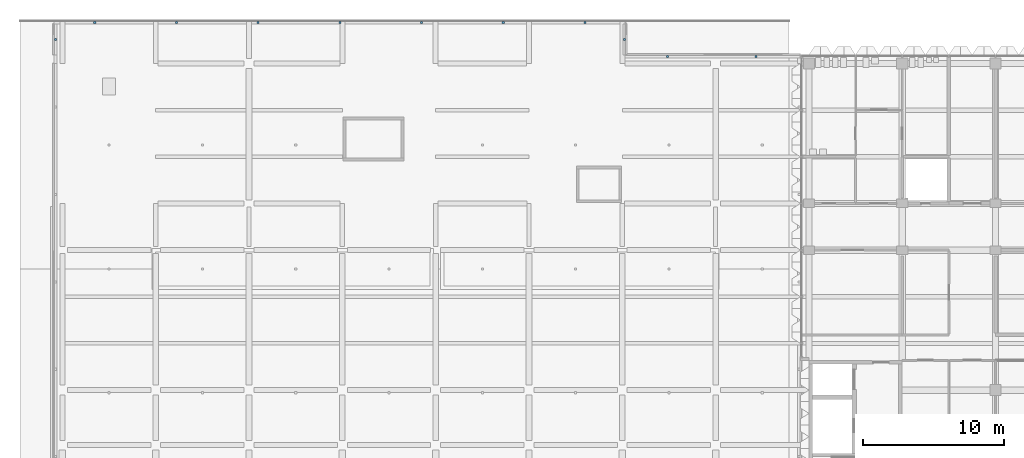
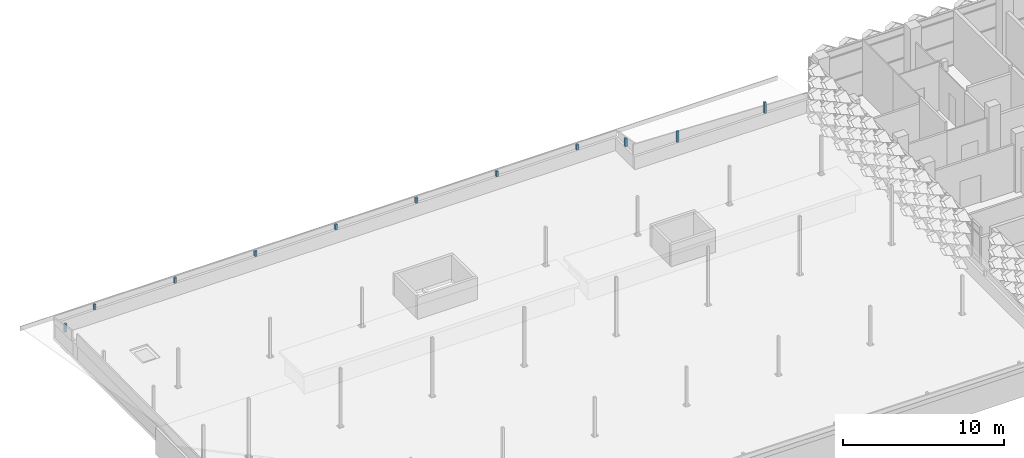
# One storey, part 19 of 39: 11 discrete accessories.
"""IFC4 building model written with IfcOpenShell, lengths in metres."""

import ifcopenshell
import ifcopenshell.guid

model = None  # the IFC model being written
_history = None  # IfcOwnerHistory: only IFC2X3 demands one
_inside = {}  # id of a spatial element -> (the spatial element, [elements in it])
_under = {}  # id of a project, library or spatial element -> (it, [spatial elements below it])
_declared = {}  # id of a project -> (the project, [libraries it declares])
_typed = {}  # id of a type object -> (the type object, [elements of that type])
_made_of = {}  # id of a material, layer set ... -> (it, [elements and type objects made of it])


def new_model(schema):
    """Start an empty IFC model of exactly this schema.

    Asked for "IFC4X3", IfcOpenShell would pick the latest addendum, in which some entities
    have other attributes; the version numbers below select the first issue.
    IFC2X3 requires an IfcOwnerHistory on every rooted entity: one is made here for all.
    """
    global model, _history
    if schema == "IFC4X3":
        model = ifcopenshell.file(schema_version=(4, 3, 0, 0))
    else:
        model = ifcopenshell.file(schema=schema)
    _inside.clear()
    _under.clear()
    _declared.clear()
    _typed.clear()
    _made_of.clear()
    _history = None
    if model.schema == "IFC2X3":
        org = make("IfcOrganization", Name="unknown")
        user = make(
            "IfcPersonAndOrganization",
            ThePerson=make("IfcPerson", FamilyName="unknown"),
            TheOrganization=org,
        )
        app = make(
            "IfcApplication",
            ApplicationDeveloper=org,
            Version="unknown",
            ApplicationFullName="unknown",
            ApplicationIdentifier="unknown",
        )
        _history = make(
            "IfcOwnerHistory",
            OwningUser=user,
            OwningApplication=app,
            ChangeAction="ADDED",
            CreationDate=0,
        )
    return model


def make(cls, **values):
    """One entity of the class cls with the attributes given. An attribute that is None is left unset."""
    return model.create_entity(
        cls, **{name: value for name, value in values.items() if value is not None}
    )


def rooted(cls, **values):
    """An entity with a GlobalId (a new one), such as an element, a storey or a relation."""
    return make(cls, GlobalId=ifcopenshell.guid.new(), OwnerHistory=_history, **values)


def si_unit(unit_type, name, prefix=None):
    """IfcSIUnit, for example si_unit("LENGTHUNIT", "METRE", prefix="MILLI")."""
    return make("IfcSIUnit", UnitType=unit_type, Prefix=prefix, Name=name)


def assignment(units):
    """IfcUnitAssignment: the units of a project."""
    return None if units is None else make("IfcUnitAssignment", Units=units)


def point(xyz):
    """IfcCartesianPoint."""
    return None if xyz is None else make("IfcCartesianPoint", Coordinates=xyz)


def direction(xyz):
    """IfcDirection."""
    return None if xyz is None else make("IfcDirection", DirectionRatios=xyz)


def frame(location, z_axis=None, x_axis=None):
    """IfcAxis2Placement3D, a coordinate frame: its origin and axes. An axis left out is left unset."""
    return make(
        "IfcAxis2Placement3D",
        Location=point(location),
        Axis=direction(z_axis),
        RefDirection=direction(x_axis),
    )


def frame_2d(location, x_axis=None):
    """IfcAxis2Placement2D, a coordinate frame in the plane: its origin and x axis."""
    return make(
        "IfcAxis2Placement2D", Location=point(location), RefDirection=direction(x_axis)
    )


def origin():
    """The frame at (0, 0, 0) with its axes left unset."""
    return frame((0.0, 0.0, 0.0))


def origin_2d():
    """The frame at (0, 0) in the plane with its x axis left unset."""
    return frame_2d((0.0, 0.0))


def place(relative_to, where):
    """IfcLocalPlacement: puts the frame where relative to a parent placement (None: the world)."""
    return make(
        "IfcLocalPlacement", PlacementRelTo=relative_to, RelativePlacement=where
    )


def context(
    kind, dimensions, precision=None, world=None, true_north=None, identifier=None
):
    """IfcGeometricRepresentationContext, for example the 3D "Model" context."""
    return make(
        "IfcGeometricRepresentationContext",
        ContextIdentifier=identifier,
        ContextType=kind,
        CoordinateSpaceDimension=dimensions,
        Precision=precision,
        WorldCoordinateSystem=world,
        TrueNorth=true_north,
    )


def subcontext(parent, identifier, kind, view, scale=None):
    """IfcGeometricRepresentationSubContext, for example "Body" below "Model"."""
    return make(
        "IfcGeometricRepresentationSubContext",
        ContextIdentifier=identifier,
        ContextType=kind,
        ParentContext=parent,
        TargetScale=scale,
        TargetView=view,
    )


def project(units=None, contexts=None):
    """IfcProject with its units and contexts."""
    return rooted(
        "IfcProject",
        Name="project",
        RepresentationContexts=contexts,
        UnitsInContext=assignment(units),
    )


def spatial(cls, under=None, at=None, **own):
    """A site, building, storey or space (cls), placed at a placement, below another one or the project."""
    s = rooted(cls, ObjectPlacement=at, **own)
    if under is not None:
        _under.setdefault(under.id(), (under, []))[1].append(s)
    return s


def profile(cls, at=None, kind="AREA", **sizes):
    """A parametric profile (cls). Its sizes go by their IFC names, for example OverallWidth=200.0."""
    return make(cls, ProfileType=kind, Position=at, **sizes)


def rectangle(**sizes):
    """IfcRectangleProfileDef."""
    return profile("IfcRectangleProfileDef", **sizes)


def extrude(swept, where, along, depth):
    """IfcExtrudedAreaSolid: the profile swept, set in the frame where, extruded along a direction by depth."""
    return make(
        "IfcExtrudedAreaSolid",
        SweptArea=swept,
        Position=where,
        ExtrudedDirection=direction(along),
        Depth=depth,
    )


def shape(context_of_items, identifier, shape_type, items):
    """IfcShapeRepresentation: the items that make up one representation, for example the "Body"."""
    return make(
        "IfcShapeRepresentation",
        ContextOfItems=context_of_items,
        RepresentationIdentifier=identifier,
        RepresentationType=shape_type,
        Items=items,
    )


def material(Name=None, Category=None):
    """IfcMaterial."""
    return make("IfcMaterial", Name=Name, Category=Category)


def made_of(thing, what):
    """Note that an element or type object is made of a material, layer set ...; save() writes the relation."""
    if what is not None:
        _made_of.setdefault(what.id(), (what, []))[1].append(thing)
    return thing


def type_object(cls, material=None, **own):
    """A type object (cls), such as IfcWallType, which elements share."""
    return made_of(rooted(cls, **own), material)


def element(
    cls,
    number,
    at=None,
    inside=None,
    cuts=None,
    type_object=None,
    material=None,
    context=None,
    identifier="Body",
    shape_type=None,
    held_by="IfcProductDefinitionShape",
    body=None,
    shapes=None,
    **own,
):
    """One element of the class cls, such as IfcWall. Its Tag is "e" and its number.

    at: its placement. inside: the storey or other place that contains it. cuts: it is an
    opening in that element (IfcRelVoidsElement). A single representation is given by context,
    identifier, shape_type and body (its items); several are given by shapes. held_by: the class
    of the entity that holds the representations. save() writes the other relations.
    """
    e = rooted(cls, Tag="e%d" % number, ObjectPlacement=at, **own)
    if body is not None:
        shapes = [shape(context, identifier, shape_type, body)]
    if shapes is not None:
        e.Representation = make(held_by, Representations=shapes)
    if inside is not None:
        _inside.setdefault(inside.id(), (inside, []))[1].append(e)
    if cuts is not None:
        rooted(
            "IfcRelVoidsElement", RelatingBuildingElement=cuts, RelatedOpeningElement=e
        )
    if type_object is not None:
        _typed.setdefault(type_object.id(), (type_object, []))[1].append(e)
    return made_of(e, material)


def aggregate(whole, parts):
    """IfcRelAggregates: a whole, such as a stair, and the parts it consists of."""
    return rooted("IfcRelAggregates", RelatingObject=whole, RelatedObjects=parts)


def save(model, path):
    """Write the relations noted so far, then the file.

    IfcRelAggregates (storeys below a building ...), IfcRelContainedInSpatialStructure (elements
    in a storey), IfcRelDefinesByType, IfcRelAssociatesMaterial and IfcRelDeclares: one each for
    every whole, place, type object, material and project.
    """
    for whole, parts in _under.values():
        aggregate(whole, parts)
    for where, things in _inside.values():
        rooted(
            "IfcRelContainedInSpatialStructure",
            RelatedElements=things,
            RelatingStructure=where,
        )
    for kind, things in _typed.values():
        rooted("IfcRelDefinesByType", RelatedObjects=things, RelatingType=kind)
    for what, things in _made_of.values():
        rooted("IfcRelAssociatesMaterial", RelatedObjects=things, RelatingMaterial=what)
    for by, libraries in _declared.values():
        rooted("IfcRelDeclares", RelatingContext=by, RelatedDefinitions=libraries)
    model.write(path)


model = new_model("IFC4")

# Units and contexts
model_context = context("Model", 3, precision=1e-05, world=origin(), true_north=direction((0.0, 1.0)))
body_context = subcontext(model_context, "Body", "Model", "MODEL_VIEW")
ifc_project = project(units=[si_unit("LENGTHUNIT", "METRE"), si_unit("AREAUNIT", "SQUARE_METRE"), si_unit("VOLUMEUNIT", "CUBIC_METRE"), si_unit("PLANEANGLEUNIT", "RADIAN"), si_unit("MASSUNIT", "GRAM", prefix="KILO")], contexts=[model_context])

# Site, building, storey
site_placement = place(None, origin())
site = spatial("IfcSite", under=ifc_project, at=site_placement, CompositionType="ELEMENT")
building_placement = place(site_placement, origin())
building = spatial("IfcBuilding", under=site, at=building_placement, Name="Lantern Court Research Institute", CompositionType="ELEMENT")
storey_placement = place(building_placement, frame((0.0, 0.0, 27.89990234375)))
storey = spatial("IfcBuildingStorey", under=building, at=storey_placement, Name="L06", CompositionType="ELEMENT", Elevation=27.89990234375)

# Discrete accessories
ifc_material = material(Name="Structural steel S355", Category="steel")
discrete_accessory_type = type_object("IfcDiscreteAccessoryType", Name="Parasol roof post 150 x 150 steel", PredefinedType="BRACKET", material=ifc_material)
for number, where, z_axis, x_axis, name in (
    (1, (49.0625, 23.60009765625, 1.10009765625), (0.0, 0.0, 1.0), (1.0, 0.0, 0.0), "Parasol roof post V4 42"),
    (2, (42.78759765625, 23.60009765625, 1.10009765625), (0.0, 0.0, 1.0), (1.0, 0.0, 0.0), "Parasol roof post V4 43"),
):
    element("IfcDiscreteAccessory", number, at=place(storey_placement, frame(where, z_axis=z_axis, x_axis=x_axis)), inside=storey, type_object=discrete_accessory_type, Name=name, PredefinedType="BRACKET", context=body_context, shape_type="SweptSolid", body=[
        extrude(rectangle(XDim=0.14990234375, YDim=0.14990234375, at=origin_2d()), origin(), (0.0, 0.0, 1.0), 0.82275390625),
    ])
discrete_accessory_1_placement = place(storey_placement, frame((39.75, 24.800048828125, 1.10009765625), z_axis=(0.0, 0.0, 1.0), x_axis=(1.0, 0.0, 0.0)))
element("IfcDiscreteAccessory", 3, at=discrete_accessory_1_placement, inside=storey, type_object=discrete_accessory_type, Name="Parasol roof post V4 44", PredefinedType="BRACKET", context=body_context, shape_type="SweptSolid", body=[
    extrude(rectangle(XDim=0.14990234375, YDim=0.14990234375, at=origin_2d()), origin(), (0.0, 0.0, 1.0), 0.611328125),
])
for number, where, z_axis, x_axis, name in (
    (4, (36.960693359375, 26.0, 1.10009765625), (0.0, 0.0, 1.0), (1.0, 0.0, 0.0), "Parasol roof post V4 45"),
    (5, (31.18212890625, 26.0, 1.10009765625), (0.0, 0.0, 1.0), (1.0, 0.0, 0.0), "Parasol roof post V4 46"),
    (6, (25.403564453125, 26.0, 1.10009765625), (0.0, 0.0, 1.0), (1.0, 0.0, 0.0), "Parasol roof post V4 47"),
    (7, (19.625, 26.0, 1.10009765625), (0.0, 0.0, 1.0), (1.0, 0.0, 0.0), "Parasol roof post V4 48"),
    (8, (13.846435546875, 26.0, 1.10009765625), (0.0, 0.0, 1.0), (1.0, 0.0, 0.0), "Parasol roof post V4 49"),
    (9, (8.06787109375, 26.0, 1.10009765625), (0.0, 0.0, 1.0), (1.0, 0.0, 0.0), "Parasol roof post V4 50"),
    (10, (2.289306640625, 26.0, 1.10009765625), (0.0, 0.0, 1.0), (1.0, 0.0, 0.0), "Parasol roof post V4 51"),
):
    element("IfcDiscreteAccessory", number, at=place(storey_placement, frame(where, z_axis=z_axis, x_axis=x_axis)), inside=storey, type_object=discrete_accessory_type, Name=name, PredefinedType="BRACKET", context=body_context, shape_type="SweptSolid", body=[
        extrude(rectangle(XDim=0.14990234375, YDim=0.14990234375, at=origin_2d()), origin(), (0.0, 0.0, 1.0), 0.399658203125),
    ])
discrete_accessory_2_placement = place(storey_placement, frame((-0.5, 24.800048828125, 1.10009765625), z_axis=(0.0, 0.0, 1.0), x_axis=(1.0, 0.0, 0.0)))
element("IfcDiscreteAccessory", 11, at=discrete_accessory_2_placement, inside=storey, type_object=discrete_accessory_type, Name="Parasol roof post V4 52", PredefinedType="BRACKET", context=body_context, shape_type="SweptSolid", body=[
    extrude(rectangle(XDim=0.14990234375, YDim=0.14990234375, at=origin_2d()), origin(), (0.0, 0.0, 1.0), 0.611328125),
])

save(model, "model.ifc")
